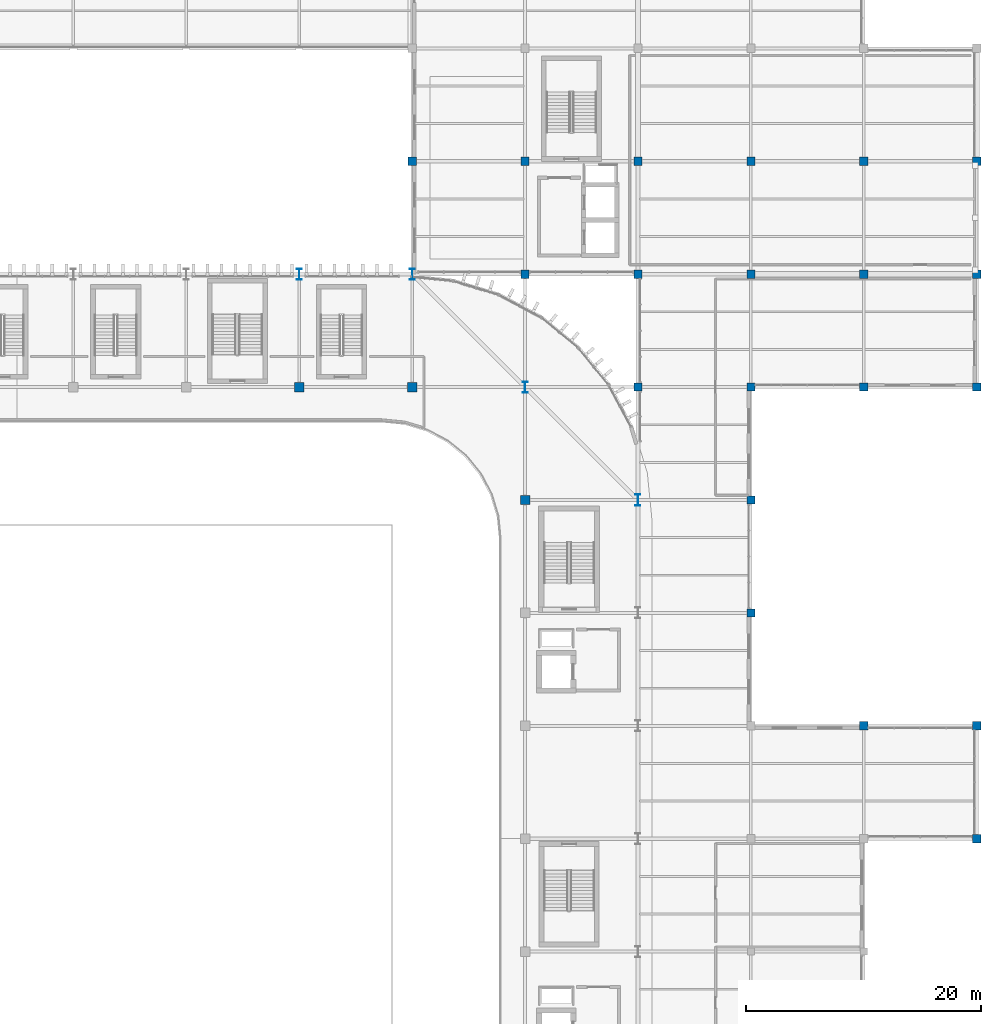
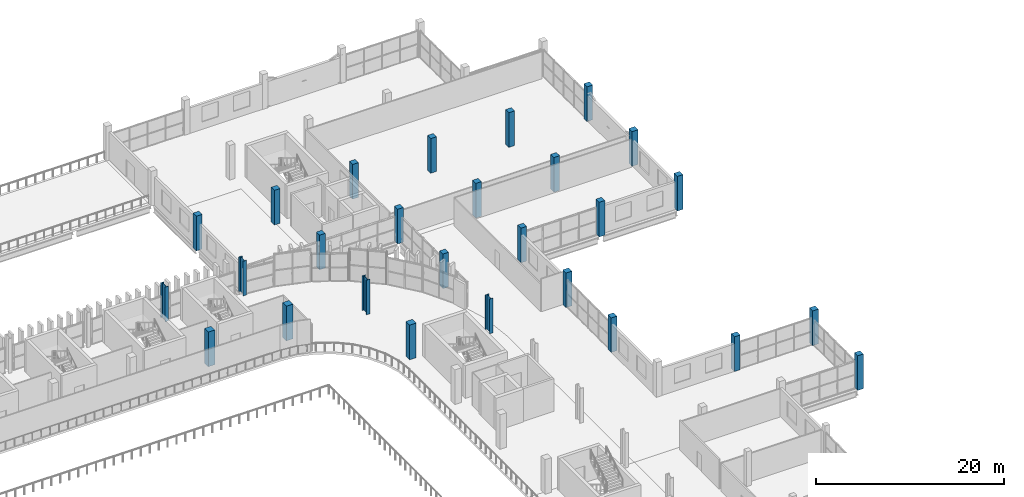
# One storey, part 4 of 75: 27 columns.
"""IFC4 building model written with IfcOpenShell, lengths in metres."""

from ifc_helpers import new_model, si_unit, direction, frame, origin, origin_2d, place, context, subcontext, project, spatial, rectangle, i_section, extrude, material, material_profile, profile_set, type_object, element, save


model = new_model("IFC4")

# Units and contexts
model_context = context("Model", 3, precision=1e-05, world=origin(), true_north=direction((0.0, 1.0)))
body_context = subcontext(model_context, "Body", "Model", "MODEL_VIEW")
ifc_project = project(units=[si_unit("LENGTHUNIT", "METRE"), si_unit("AREAUNIT", "SQUARE_METRE"), si_unit("VOLUMEUNIT", "CUBIC_METRE"), si_unit("PLANEANGLEUNIT", "RADIAN"), si_unit("MASSUNIT", "GRAM", prefix="KILO")], contexts=[model_context])

# Site, building, storey
site_placement = place(None, origin())
site = spatial("IfcSite", under=ifc_project, at=site_placement, CompositionType="ELEMENT")
building_placement = place(site_placement, origin())
building = spatial("IfcBuilding", under=site, at=building_placement, Name="Caelomonte Colonnade Arena", CompositionType="ELEMENT")
storey_placement = place(building_placement, frame((0.0, 0.0, 14.10009765625)))
storey = spatial("IfcBuildingStorey", under=building, at=storey_placement, Name="L03", CompositionType="ELEMENT", Elevation=14.10009765625)

# Columns
ifc_material_1 = material(Name="Concrete C40/50", Category="concrete")
ifc_material_profile_1 = material_profile(ifc_material_1, rectangle(XDim=0.699951171875, YDim=0.699951171875, at=origin_2d()), Name="RC700X700")
ifc_profile_set_1 = profile_set([ifc_material_profile_1], Name="Concrete C40/50")
column_type_1 = type_object("IfcColumnType", Name="STR-COL-RC07", PredefinedType="COLUMN", material=ifc_profile_set_1)
for number, where, z_axis, x_axis, name in (
    (1, (144.0, 124.800048828125, 0.0), (0.0, 0.0, 1.0), (1.0, 0.0, 0.0), "L03 column (144.0, 124.8)"),
    (2, (153.60009765625, 115.199951171875, 0.0), (0.0, 0.0, 1.0), (1.0, 0.0, 0.0), "L03 column (153.6, 115.2)"),
    (3, (153.60009765625, 124.800048828125, 0.0), (0.0, 0.0, 1.0), (1.0, 0.0, 0.0), "L03 column (153.6, 124.8)"),
    (4, (163.199951171875, 105.60009765625, 0.0), (0.0, 0.0, 1.0), (1.0, 0.0, 0.0), "L03 column (163.2, 105.6)"),
    (5, (163.199951171875, 115.199951171875, 0.0), (0.0, 0.0, 1.0), (1.0, 0.0, 0.0), "L03 column (163.2, 115.2)"),
    (6, (163.199951171875, 124.800048828125, 0.0), (0.0, 0.0, 1.0), (1.0, 0.0, 0.0), "L03 column (163.2, 124.8)"),
    (7, (172.800048828125, 86.39990234375, 0.0), (0.0, 0.0, 1.0), (1.0, 0.0, 0.0), "L03 column (172.8, 86.4)"),
    (8, (172.800048828125, 96.0, 0.0), (0.0, 0.0, 1.0), (1.0, 0.0, 0.0), "L03 column (172.8, 96.0)"),
    (9, (172.800048828125, 105.60009765625, 0.0), (0.0, 0.0, 1.0), (1.0, 0.0, 0.0), "L03 column (172.8, 105.6)"),
    (10, (172.800048828125, 115.199951171875, 0.0), (0.0, 0.0, 1.0), (1.0, 0.0, 0.0), "L03 column (172.8, 115.2)"),
    (11, (172.800048828125, 124.800048828125, 0.0), (0.0, 0.0, 1.0), (1.0, 0.0, 0.0), "L03 column (172.8, 124.8)"),
    (12, (182.39990234375, 76.800048828125, 0.0), (0.0, 0.0, 1.0), (1.0, 0.0, 0.0), "L03 column (182.4, 76.8)"),
    (13, (182.39990234375, 105.60009765625, 0.0), (0.0, 0.0, 1.0), (1.0, 0.0, 0.0), "L03 column (182.4, 105.6)"),
    (14, (182.39990234375, 115.199951171875, 0.0), (0.0, 0.0, 1.0), (1.0, 0.0, 0.0), "L03 column (182.4, 115.2)"),
    (15, (182.39990234375, 124.800048828125, 0.0), (0.0, 0.0, 1.0), (1.0, 0.0, 0.0), "L03 column (182.4, 124.8)"),
    (16, (192.0, 67.199951171875, 0.0), (0.0, 0.0, 1.0), (1.0, 0.0, 0.0), "L03 column (192.0, 67.2)"),
    (17, (192.0, 76.800048828125, 0.0), (0.0, 0.0, 1.0), (1.0, 0.0, 0.0), "L03 column (192.0, 76.8)"),
    (18, (192.0, 105.60009765625, 0.0), (0.0, 0.0, 1.0), (1.0, 0.0, 0.0), "L03 column (192.0, 105.6)"),
    (19, (192.0, 115.199951171875, 0.0), (0.0, 0.0, 1.0), (1.0, 0.0, 0.0), "L03 column (192.0, 115.2)"),
    (20, (192.0, 124.800048828125, 0.0), (0.0, 0.0, 1.0), (1.0, 0.0, 0.0), "L03 column (192.0, 124.8)"),
):
    element("IfcColumn", number, at=place(storey_placement, frame(where, z_axis=z_axis, x_axis=x_axis)), inside=storey, type_object=column_type_1, Name=name, PredefinedType="COLUMN", context=body_context, shape_type="SweptSolid", body=[
        extrude(rectangle(XDim=0.699951171875, YDim=0.699951171875, at=origin_2d()), origin(), (0.0, 0.0, 1.0), 4.5),
    ])
ifc_material_profile_2 = material_profile(ifc_material_1, rectangle(XDim=0.800048828125, YDim=0.800048828125, at=origin_2d()), Name="RC800X800")
ifc_profile_set_2 = profile_set([ifc_material_profile_2], Name="Concrete C40/50")
column_type_2 = type_object("IfcColumnType", Name="STR-COL-RC08", PredefinedType="COLUMN", material=ifc_profile_set_2)
for number, where, z_axis, x_axis, name in (
    (21, (134.39990234375, 105.60009765625, 0.0), (0.0, 0.0, 1.0), (1.0, 0.0, 0.0), "L03 column (134.4, 105.6)"),
    (22, (144.0, 105.60009765625, 0.0), (0.0, 0.0, 1.0), (1.0, 0.0, 0.0), "L03 column (144.0, 105.6)"),
    (23, (153.60009765625, 96.0, 0.0), (0.0, 0.0, 1.0), (1.0, 0.0, 0.0), "L03 column (153.6, 96.0)"),
):
    element("IfcColumn", number, at=place(storey_placement, frame(where, z_axis=z_axis, x_axis=x_axis)), inside=storey, type_object=column_type_2, Name=name, PredefinedType="COLUMN", context=body_context, shape_type="SweptSolid", body=[
        extrude(rectangle(XDim=0.800048828125, YDim=0.800048828125, at=origin_2d()), origin(), (0.0, 0.0, 1.0), 4.5),
    ])
ifc_material_2 = material(Name="Wide-flange steel ASTM A992 Grade 50", Category="steel")
ifc_material_profile_3 = material_profile(ifc_material_2, i_section(OverallWidth=0.423095703125, OverallDepth=0.947509765625, WebThickness=0.02392578125, FlangeThickness=0.042724609375, FilletRadius=0.024169921875, at=origin_2d()), Name="W36X302")
ifc_profile_set_3 = profile_set([ifc_material_profile_3], Name="Wide-flange steel ASTM A992 Grade 50")
column_type_3 = type_object("IfcColumnType", Name="STR-COL-W36A", PredefinedType="COLUMN", material=ifc_profile_set_3)
for number, where, z_axis, x_axis, name in (
    (24, (134.39990234375, 115.199951171875, 0.0), (0.0, 0.0, 1.0), (1.0, 0.0, 0.0), "L03 column (134.4, 115.2)"),
    (25, (144.0, 115.199951171875, 0.0), (0.0, 0.0, 1.0), (1.0, 0.0, 0.0), "L03 column (144.0, 115.2)"),
    (26, (153.60009765625, 105.60009765625, 0.0), (0.0, 0.0, 1.0), (1.0, 0.0, 0.0), "L03 column (153.6, 105.6)"),
    (27, (163.199951171875, 96.0, 0.0), (0.0, 0.0, 1.0), (1.0, 0.0, 0.0), "L03 column (163.2, 96.0)"),
):
    element("IfcColumn", number, at=place(storey_placement, frame(where, z_axis=z_axis, x_axis=x_axis)), inside=storey, type_object=column_type_3, Name=name, PredefinedType="COLUMN", context=body_context, shape_type="SweptSolid", body=[
        extrude(i_section(OverallWidth=0.423095703125, OverallDepth=0.947509765625, WebThickness=0.02392578125, FlangeThickness=0.042724609375, FilletRadius=0.024169921875, at=origin_2d()), origin(), (0.0, 0.0, 1.0), 4.5),
    ])

save(model, "model.ifc")
